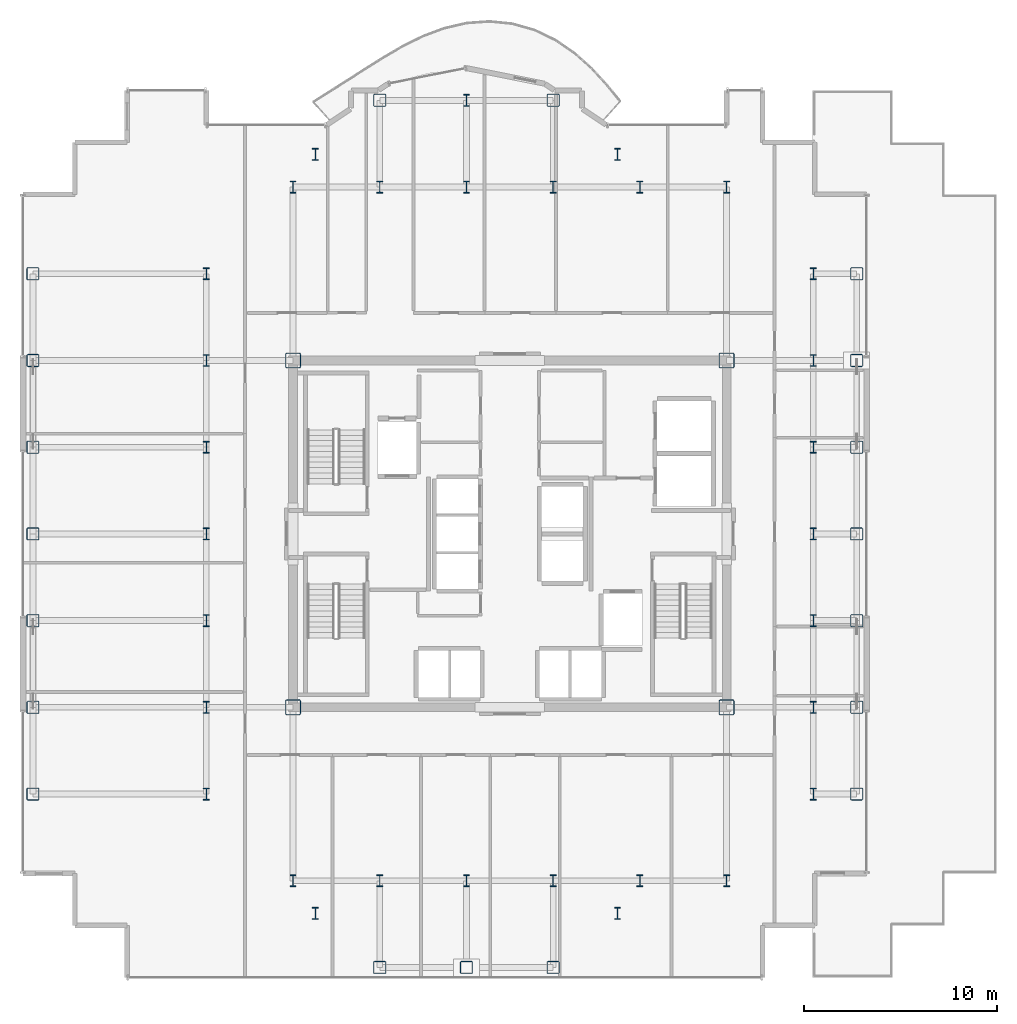
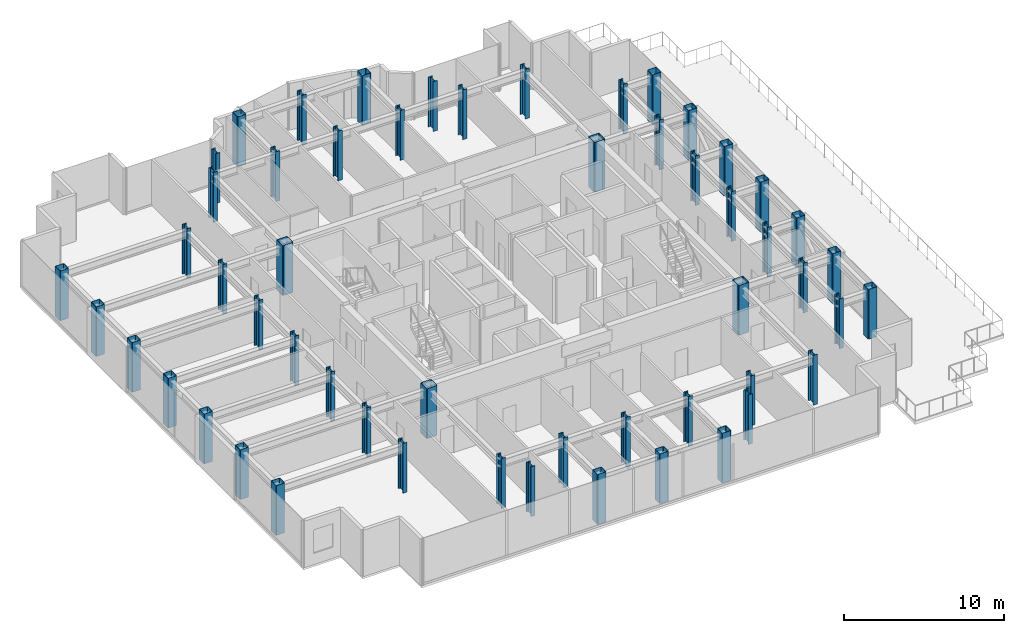
# One storey, part 1 of 17: 54 columns.
"""IFC4 building model written with IfcOpenShell, lengths in metres."""

from ifc_helpers import new_model, si_unit, direction, frame, origin, origin_2d, place, context, subcontext, project, spatial, hollow_rectangle, i_section, extrude, source, transform, mapped, material, material_profile, profile_set, type_object, element, save


model = new_model("IFC4")

# Units and contexts
model_context = context("Model", 3, precision=1e-05, world=origin(), true_north=direction((0.0, 1.0)))
body_context = subcontext(model_context, "Body", "Model", "MODEL_VIEW")
ifc_project = project(units=[si_unit("LENGTHUNIT", "METRE"), si_unit("AREAUNIT", "SQUARE_METRE"), si_unit("VOLUMEUNIT", "CUBIC_METRE"), si_unit("PLANEANGLEUNIT", "RADIAN"), si_unit("MASSUNIT", "GRAM", prefix="KILO")], contexts=[model_context])

# Site, building, storey
site_placement = place(None, origin())
site = spatial("IfcSite", under=ifc_project, at=site_placement, CompositionType="ELEMENT")
building_placement = place(site_placement, origin())
building = spatial("IfcBuilding", under=site, at=building_placement, Name="Nefas-Gora Pilgrimage Tower", CompositionType="ELEMENT")
storey_placement = place(building_placement, frame((0.0, 0.0, 264.60009765625)))
storey = spatial("IfcBuildingStorey", under=building, at=storey_placement, Name="L66", CompositionType="ELEMENT", Elevation=264.60009765625)

# Columns
ifc_material_1 = material(Name="Steel S460", Category="steel")
ifc_material_profile_1 = material_profile(ifc_material_1, hollow_rectangle(XDim=0.800048828125, YDim=0.800048828125, WallThickness=0.0400390625, InnerFilletRadius=0.0400390625, OuterFilletRadius=0.080078125, at=origin_2d()), Name="BOX 800x800x40")
ifc_profile_set_1 = profile_set([ifc_material_profile_1], Name="Steel S460")
column_type_1 = type_object("IfcColumnType", Name="COL-CORE-800", PredefinedType="COLUMN", material=ifc_profile_set_1)
shared_shape_1 = source(origin(), body_context, "Body", "SweptSolid", [
    extrude(hollow_rectangle(XDim=0.800048828125, YDim=0.800048828125, WallThickness=0.0400390625, InnerFilletRadius=0.0400390625, OuterFilletRadius=0.080078125, at=origin_2d()), origin(), (0.0, 0.0, 1.0), 3.7998046875),
])
for number, where, z_axis, x_axis, name in (
    (1, (-11.25, -9.0, 0.0), (0.0, 0.0, 1.0), (1.0, 0.0, 0.0), "L66 Tower Column CC-Z2.16"),
    (2, (-11.25, 9.0, 0.0), (0.0, 0.0, 1.0), (1.0, 0.0, 0.0), "L66 Tower Column CC-Z2.17"),
    (3, (11.25, -9.0, 0.0), (0.0, 0.0, 1.0), (1.0, 0.0, 0.0), "L66 Tower Column CC-Z2.38"),
    (4, (11.25, 9.0, 0.0), (0.0, 0.0, 1.0), (1.0, 0.0, 0.0), "L66 Tower Column CC-Z2.39"),
):
    element("IfcColumn", number, at=place(storey_placement, frame(where, z_axis=z_axis, x_axis=x_axis)), inside=storey, type_object=column_type_1, Name=name, PredefinedType="COLUMN", context=body_context, shape_type="MappedRepresentation", body=[
        mapped(shared_shape_1, transform((0.0, 0.0, 0.0), x_axis=(1.0, 0.0, 0.0), y_axis=(0.0, 1.0, 0.0), z_axis=(0.0, 0.0, 1.0), scale=1.0)),
    ])
ifc_material_profile_2 = material_profile(ifc_material_1, hollow_rectangle(XDim=0.64990234375, YDim=0.64990234375, WallThickness=0.031982421875, InnerFilletRadius=0.031982421875, OuterFilletRadius=0.06396484375, at=origin_2d()), Name="BOX 650x650x32")
ifc_profile_set_2 = profile_set([ifc_material_profile_2], Name="Steel S460")
column_type_2 = type_object("IfcColumnType", Name="COL-TUBE-650", PredefinedType="COLUMN", material=ifc_profile_set_2)
shared_shape_2 = source(origin(), body_context, "Body", "SweptSolid", [
    extrude(hollow_rectangle(XDim=0.64990234375, YDim=0.64990234375, WallThickness=0.031982421875, InnerFilletRadius=0.031982421875, OuterFilletRadius=0.06396484375, at=origin_2d()), origin(), (0.0, 0.0, 1.0), 3.7998046875),
])
for number, where, z_axis, x_axis, name in (
    (5, (-24.75, -13.5, 0.0), (0.0, 0.0, 1.0), (1.0, 0.0, 0.0), "L66 Tower Column C-Z3.1"),
    (6, (-24.75, -9.0, 0.0), (0.0, 0.0, 1.0), (1.0, 0.0, 0.0), "L66 Tower Column C-Z3.2"),
    (7, (-24.75, -4.5, 0.0), (0.0, 0.0, 1.0), (1.0, 0.0, 0.0), "L66 Tower Column C-Z3.3"),
    (8, (-24.75, 0.0, 0.0), (0.0, 0.0, 1.0), (1.0, 0.0, 0.0), "L66 Tower Column C-Z3.4"),
    (9, (-24.75, 4.5, 0.0), (0.0, 0.0, 1.0), (1.0, 0.0, 0.0), "L66 Tower Column C-Z3.5"),
    (10, (-24.75, 9.0, 0.0), (0.0, 0.0, 1.0), (1.0, 0.0, 0.0), "L66 Tower Column C-Z3.6"),
    (11, (-24.75, 13.5, 0.0), (0.0, 0.0, 1.0), (1.0, 0.0, 0.0), "L66 Tower Column C-Z3.7"),
    (12, (-6.75, -22.5, 0.0), (0.0, 0.0, 1.0), (1.0, 0.0, 0.0), "L66 Tower Column C-Z3.21"),
    (13, (-6.75, 22.5, 0.0), (0.0, 0.0, 1.0), (1.0, 0.0, 0.0), "L66 Tower Column C-Z3.24"),
    (14, (-2.25, -22.5, 0.0), (0.0, 0.0, 1.0), (1.0, 0.0, 0.0), "L66 Tower Column C-Z3.25"),
    (15, (2.25, -22.5, 0.0), (0.0, 0.0, 1.0), (1.0, 0.0, 0.0), "L66 Tower Column C-Z3.29"),
    (16, (2.25, 22.5, 0.0), (0.0, 0.0, 1.0), (1.0, 0.0, 0.0), "L66 Tower Column C-Z3.32"),
    (17, (18.0, -13.5, 0.0), (0.0, 0.0, 1.0), (1.0, 0.0, 0.0), "L66 Tower Column C-Z3.48"),
    (18, (18.0, -9.0, 0.0), (0.0, 0.0, 1.0), (1.0, 0.0, 0.0), "L66 Tower Column C-Z3.49"),
    (19, (18.0, -4.5, 0.0), (0.0, 0.0, 1.0), (1.0, 0.0, 0.0), "L66 Tower Column C-Z3.50"),
    (20, (18.0, 0.0, 0.0), (0.0, 0.0, 1.0), (1.0, 0.0, 0.0), "L66 Tower Column C-Z3.51"),
    (21, (18.0, 4.5, 0.0), (0.0, 0.0, 1.0), (1.0, 0.0, 0.0), "L66 Tower Column C-Z3.52"),
    (22, (18.0, 9.0, 0.0), (0.0, 0.0, 1.0), (1.0, 0.0, 0.0), "L66 Tower Column C-Z3.53"),
    (23, (18.0, 13.5, 0.0), (0.0, 0.0, 1.0), (1.0, 0.0, 0.0), "L66 Tower Column C-Z3.54"),
):
    element("IfcColumn", number, at=place(storey_placement, frame(where, z_axis=z_axis, x_axis=x_axis)), inside=storey, type_object=column_type_2, Name=name, PredefinedType="COLUMN", context=body_context, shape_type="MappedRepresentation", body=[
        mapped(shared_shape_2, transform((0.0, 0.0, 0.0), x_axis=(1.0, 0.0, 0.0), y_axis=(0.0, 1.0, 0.0), z_axis=(0.0, 0.0, 1.0), scale=1.0)),
    ])
ifc_material_2 = material(Name="Steel S355", Category="steel")
ifc_material_profile_3 = material_profile(ifc_material_2, i_section(OverallWidth=0.304931640625, OverallDepth=0.6201171875, WebThickness=0.02099609375, FlangeThickness=0.0400390625, FilletRadius=0.027099609375, at=origin_2d()), Name="HEM 600")
ifc_profile_set_3 = profile_set([ifc_material_profile_3], Name="Steel S355")
column_type_3 = type_object("IfcColumnType", Name="COL-WEB-HEM600", PredefinedType="COLUMN", material=ifc_profile_set_3)
shared_shape_3 = source(origin(), body_context, "Body", "SweptSolid", [
    extrude(i_section(OverallWidth=0.304931640625, OverallDepth=0.6201171875, WebThickness=0.02099609375, FlangeThickness=0.0400390625, FilletRadius=0.027099609375, at=origin_2d()), origin(), (0.0, 0.0, 1.0), 3.7998046875),
])
for number, where, z_axis, x_axis, name in (
    (24, (-15.75, -13.5, 0.0), (0.0, 0.0, 1.0), (1.0, 0.0, 0.0), "L66 Tower Column CW-03.8"),
    (25, (-15.75, -9.0, 0.0), (0.0, 0.0, 1.0), (1.0, 0.0, 0.0), "L66 Tower Column CW-03.9"),
    (26, (-15.75, -4.5, 0.0), (0.0, 0.0, 1.0), (1.0, 0.0, 0.0), "L66 Tower Column CW-03.10"),
    (27, (-15.75, 0.0, 0.0), (0.0, 0.0, 1.0), (1.0, 0.0, 0.0), "L66 Tower Column CW-03.11"),
    (28, (-15.75, 4.5, 0.0), (0.0, 0.0, 1.0), (1.0, 0.0, 0.0), "L66 Tower Column CW-03.12"),
    (29, (-15.75, 9.0, 0.0), (0.0, 0.0, 1.0), (1.0, 0.0, 0.0), "L66 Tower Column CW-03.13"),
    (30, (-15.75, 13.5, 0.0), (0.0, 0.0, 1.0), (1.0, 0.0, 0.0), "L66 Tower Column CW-03.14"),
    (31, (-11.25, -18.0, 0.0), (0.0, 0.0, 1.0), (1.0, 0.0, 0.0), "L66 Tower Column CW-03.15"),
    (32, (-11.25, 18.0, 0.0), (0.0, 0.0, 1.0), (1.0, 0.0, 0.0), "L66 Tower Column CW-03.18"),
    (33, (-10.091064453125, -19.696044921875, 0.0), (0.0, 0.0, 1.0), (1.0, 0.0, 0.0), "L66 Tower Column CW-03.19"),
    (34, (-10.091064453125, 19.696044921875, 0.0), (0.0, 0.0, 1.0), (1.0, 0.0, 0.0), "L66 Tower Column CW-03.20"),
    (35, (-6.75, -18.0, 0.0), (0.0, 0.0, 1.0), (1.0, 0.0, 0.0), "L66 Tower Column CW-03.22"),
    (36, (-6.75, 18.0, 0.0), (0.0, 0.0, 1.0), (1.0, 0.0, 0.0), "L66 Tower Column CW-03.23"),
    (37, (-2.25, -18.0, 0.0), (0.0, 0.0, 1.0), (1.0, 0.0, 0.0), "L66 Tower Column CW-03.26"),
    (38, (-2.25, 18.0, 0.0), (0.0, 0.0, 1.0), (1.0, 0.0, 0.0), "L66 Tower Column CW-03.27"),
    (39, (-2.25, 22.5, 0.0), (0.0, 0.0, 1.0), (1.0, 0.0, 0.0), "L66 Tower Column CW-03.28"),
    (40, (2.25, -18.0, 0.0), (0.0, 0.0, 1.0), (1.0, 0.0, 0.0), "L66 Tower Column CW-03.30"),
    (41, (2.25, 18.0, 0.0), (0.0, 0.0, 1.0), (1.0, 0.0, 0.0), "L66 Tower Column CW-03.31"),
    (42, (5.591064453125, -19.696044921875, 0.0), (0.0, 0.0, 1.0), (1.0, 0.0, 0.0), "L66 Tower Column CW-03.33"),
    (43, (5.591064453125, 19.696044921875, 0.0), (0.0, 0.0, 1.0), (1.0, 0.0, 0.0), "L66 Tower Column CW-03.34"),
    (44, (6.75, -18.0, 0.0), (0.0, 0.0, 1.0), (1.0, 0.0, 0.0), "L66 Tower Column CW-03.35"),
    (45, (6.75, 18.0, 0.0), (0.0, 0.0, 1.0), (1.0, 0.0, 0.0), "L66 Tower Column CW-03.36"),
    (46, (11.25, -18.0, 0.0), (0.0, 0.0, 1.0), (1.0, 0.0, 0.0), "L66 Tower Column CW-03.37"),
    (47, (11.25, 18.0, 0.0), (0.0, 0.0, 1.0), (1.0, 0.0, 0.0), "L66 Tower Column CW-03.40"),
    (48, (15.75, -13.5, 0.0), (0.0, 0.0, 1.0), (1.0, 0.0, 0.0), "L66 Tower Column CW-03.41"),
    (49, (15.75, -9.0, 0.0), (0.0, 0.0, 1.0), (1.0, 0.0, 0.0), "L66 Tower Column CW-03.42"),
    (50, (15.75, -4.5, 0.0), (0.0, 0.0, 1.0), (1.0, 0.0, 0.0), "L66 Tower Column CW-03.43"),
    (51, (15.75, 0.0, 0.0), (0.0, 0.0, 1.0), (1.0, 0.0, 0.0), "L66 Tower Column CW-03.44"),
    (52, (15.75, 4.5, 0.0), (0.0, 0.0, 1.0), (1.0, 0.0, 0.0), "L66 Tower Column CW-03.45"),
    (53, (15.75, 9.0, 0.0), (0.0, 0.0, 1.0), (1.0, 0.0, 0.0), "L66 Tower Column CW-03.46"),
    (54, (15.75, 13.5, 0.0), (0.0, 0.0, 1.0), (1.0, 0.0, 0.0), "L66 Tower Column CW-03.47"),
):
    element("IfcColumn", number, at=place(storey_placement, frame(where, z_axis=z_axis, x_axis=x_axis)), inside=storey, type_object=column_type_3, Name=name, PredefinedType="COLUMN", context=body_context, shape_type="MappedRepresentation", body=[
        mapped(shared_shape_3, transform((0.0, 0.0, 0.0), x_axis=(1.0, 0.0, 0.0), y_axis=(0.0, 1.0, 0.0), z_axis=(0.0, 0.0, 1.0), scale=1.0)),
    ])

save(model, "model.ifc")
